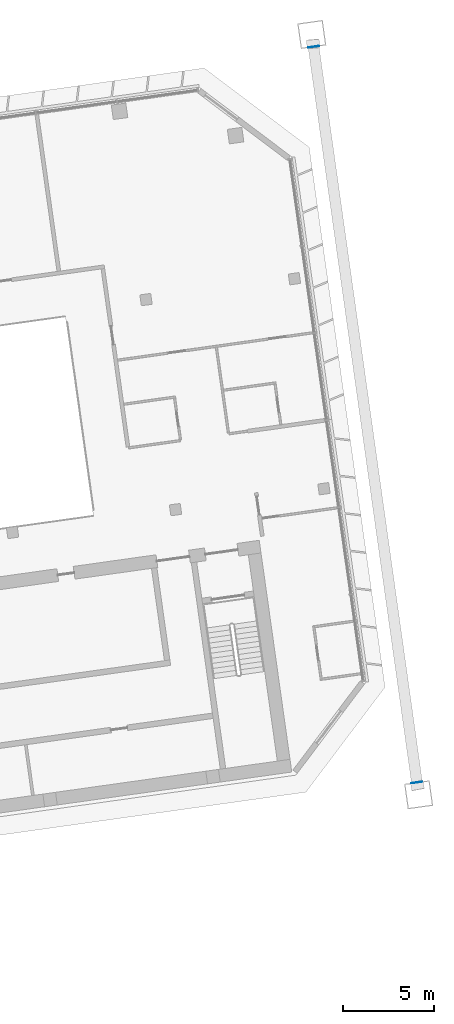
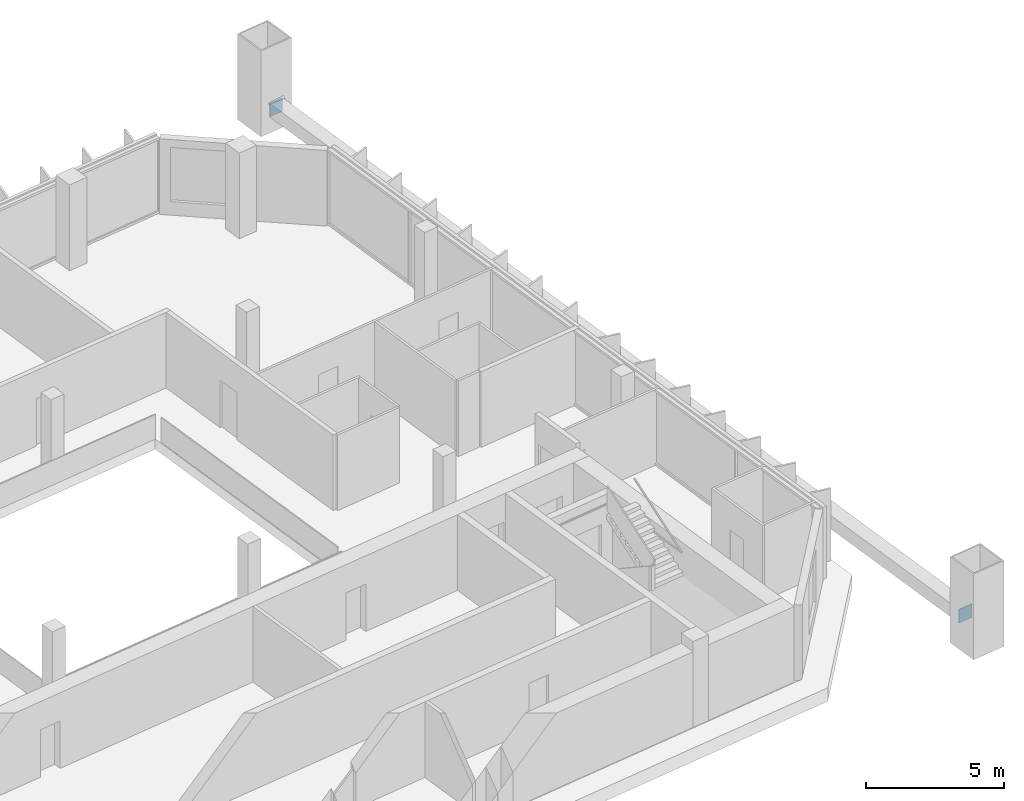
# One storey, part 29 of 31: 2 discrete accessories.
"""IFC4 building model written with IfcOpenShell, lengths in metres."""

import ifcopenshell
import ifcopenshell.guid

model = None  # the IFC model being written
_history = None  # IfcOwnerHistory: only IFC2X3 demands one
_inside = {}  # id of a spatial element -> (the spatial element, [elements in it])
_under = {}  # id of a project, library or spatial element -> (it, [spatial elements below it])
_declared = {}  # id of a project -> (the project, [libraries it declares])
_typed = {}  # id of a type object -> (the type object, [elements of that type])
_made_of = {}  # id of a material, layer set ... -> (it, [elements and type objects made of it])


def new_model(schema):
    """Start an empty IFC model of exactly this schema.

    Asked for "IFC4X3", IfcOpenShell would pick the latest addendum, in which some entities
    have other attributes; the version numbers below select the first issue.
    IFC2X3 requires an IfcOwnerHistory on every rooted entity: one is made here for all.
    """
    global model, _history
    if schema == "IFC4X3":
        model = ifcopenshell.file(schema_version=(4, 3, 0, 0))
    else:
        model = ifcopenshell.file(schema=schema)
    _inside.clear()
    _under.clear()
    _declared.clear()
    _typed.clear()
    _made_of.clear()
    _history = None
    if model.schema == "IFC2X3":
        org = make("IfcOrganization", Name="unknown")
        user = make(
            "IfcPersonAndOrganization",
            ThePerson=make("IfcPerson", FamilyName="unknown"),
            TheOrganization=org,
        )
        app = make(
            "IfcApplication",
            ApplicationDeveloper=org,
            Version="unknown",
            ApplicationFullName="unknown",
            ApplicationIdentifier="unknown",
        )
        _history = make(
            "IfcOwnerHistory",
            OwningUser=user,
            OwningApplication=app,
            ChangeAction="ADDED",
            CreationDate=0,
        )
    return model


def make(cls, **values):
    """One entity of the class cls with the attributes given. An attribute that is None is left unset."""
    return model.create_entity(
        cls, **{name: value for name, value in values.items() if value is not None}
    )


def rooted(cls, **values):
    """An entity with a GlobalId (a new one), such as an element, a storey or a relation."""
    return make(cls, GlobalId=ifcopenshell.guid.new(), OwnerHistory=_history, **values)


def si_unit(unit_type, name, prefix=None):
    """IfcSIUnit, for example si_unit("LENGTHUNIT", "METRE", prefix="MILLI")."""
    return make("IfcSIUnit", UnitType=unit_type, Prefix=prefix, Name=name)


def assignment(units):
    """IfcUnitAssignment: the units of a project."""
    return None if units is None else make("IfcUnitAssignment", Units=units)


def point(xyz):
    """IfcCartesianPoint."""
    return None if xyz is None else make("IfcCartesianPoint", Coordinates=xyz)


def direction(xyz):
    """IfcDirection."""
    return None if xyz is None else make("IfcDirection", DirectionRatios=xyz)


def frame(location, z_axis=None, x_axis=None):
    """IfcAxis2Placement3D, a coordinate frame: its origin and axes. An axis left out is left unset."""
    return make(
        "IfcAxis2Placement3D",
        Location=point(location),
        Axis=direction(z_axis),
        RefDirection=direction(x_axis),
    )


def frame_2d(location, x_axis=None):
    """IfcAxis2Placement2D, a coordinate frame in the plane: its origin and x axis."""
    return make(
        "IfcAxis2Placement2D", Location=point(location), RefDirection=direction(x_axis)
    )


def origin():
    """The frame at (0, 0, 0) with its axes left unset."""
    return frame((0.0, 0.0, 0.0))


def origin_2d():
    """The frame at (0, 0) in the plane with its x axis left unset."""
    return frame_2d((0.0, 0.0))


def place(relative_to, where):
    """IfcLocalPlacement: puts the frame where relative to a parent placement (None: the world)."""
    return make(
        "IfcLocalPlacement", PlacementRelTo=relative_to, RelativePlacement=where
    )


def context(
    kind, dimensions, precision=None, world=None, true_north=None, identifier=None
):
    """IfcGeometricRepresentationContext, for example the 3D "Model" context."""
    return make(
        "IfcGeometricRepresentationContext",
        ContextIdentifier=identifier,
        ContextType=kind,
        CoordinateSpaceDimension=dimensions,
        Precision=precision,
        WorldCoordinateSystem=world,
        TrueNorth=true_north,
    )


def subcontext(parent, identifier, kind, view, scale=None):
    """IfcGeometricRepresentationSubContext, for example "Body" below "Model"."""
    return make(
        "IfcGeometricRepresentationSubContext",
        ContextIdentifier=identifier,
        ContextType=kind,
        ParentContext=parent,
        TargetScale=scale,
        TargetView=view,
    )


def project(units=None, contexts=None):
    """IfcProject with its units and contexts."""
    return rooted(
        "IfcProject",
        Name="project",
        RepresentationContexts=contexts,
        UnitsInContext=assignment(units),
    )


def spatial(cls, under=None, at=None, **own):
    """A site, building, storey or space (cls), placed at a placement, below another one or the project."""
    s = rooted(cls, ObjectPlacement=at, **own)
    if under is not None:
        _under.setdefault(under.id(), (under, []))[1].append(s)
    return s


def profile(cls, at=None, kind="AREA", **sizes):
    """A parametric profile (cls). Its sizes go by their IFC names, for example OverallWidth=200.0."""
    return make(cls, ProfileType=kind, Position=at, **sizes)


def rectangle(**sizes):
    """IfcRectangleProfileDef."""
    return profile("IfcRectangleProfileDef", **sizes)


def extrude(swept, where, along, depth):
    """IfcExtrudedAreaSolid: the profile swept, set in the frame where, extruded along a direction by depth."""
    return make(
        "IfcExtrudedAreaSolid",
        SweptArea=swept,
        Position=where,
        ExtrudedDirection=direction(along),
        Depth=depth,
    )


def shape(context_of_items, identifier, shape_type, items):
    """IfcShapeRepresentation: the items that make up one representation, for example the "Body"."""
    return make(
        "IfcShapeRepresentation",
        ContextOfItems=context_of_items,
        RepresentationIdentifier=identifier,
        RepresentationType=shape_type,
        Items=items,
    )


def material(Name=None, Category=None):
    """IfcMaterial."""
    return make("IfcMaterial", Name=Name, Category=Category)


def material_profile(
    of_material, cross_section, Name=None, Category=None, Priority=None
):
    """IfcMaterialProfile: a cross section and its material."""
    return make(
        "IfcMaterialProfile",
        Name=Name,
        Material=of_material,
        Profile=cross_section,
        Priority=Priority,
        Category=Category,
    )


def profile_set(profiles, Name=None, composite=None):
    """IfcMaterialProfileSet."""
    return make(
        "IfcMaterialProfileSet",
        Name=Name,
        MaterialProfiles=profiles,
        CompositeProfile=composite,
    )


def made_of(thing, what):
    """Note that an element or type object is made of a material, layer set ...; save() writes the relation."""
    if what is not None:
        _made_of.setdefault(what.id(), (what, []))[1].append(thing)
    return thing


def type_object(cls, material=None, **own):
    """A type object (cls), such as IfcWallType, which elements share."""
    return made_of(rooted(cls, **own), material)


def element(
    cls,
    number,
    at=None,
    inside=None,
    cuts=None,
    type_object=None,
    material=None,
    context=None,
    identifier="Body",
    shape_type=None,
    held_by="IfcProductDefinitionShape",
    body=None,
    shapes=None,
    **own,
):
    """One element of the class cls, such as IfcWall. Its Tag is "e" and its number.

    at: its placement. inside: the storey or other place that contains it. cuts: it is an
    opening in that element (IfcRelVoidsElement). A single representation is given by context,
    identifier, shape_type and body (its items); several are given by shapes. held_by: the class
    of the entity that holds the representations. save() writes the other relations.
    """
    e = rooted(cls, Tag="e%d" % number, ObjectPlacement=at, **own)
    if body is not None:
        shapes = [shape(context, identifier, shape_type, body)]
    if shapes is not None:
        e.Representation = make(held_by, Representations=shapes)
    if inside is not None:
        _inside.setdefault(inside.id(), (inside, []))[1].append(e)
    if cuts is not None:
        rooted(
            "IfcRelVoidsElement", RelatingBuildingElement=cuts, RelatedOpeningElement=e
        )
    if type_object is not None:
        _typed.setdefault(type_object.id(), (type_object, []))[1].append(e)
    return made_of(e, material)


def aggregate(whole, parts):
    """IfcRelAggregates: a whole, such as a stair, and the parts it consists of."""
    return rooted("IfcRelAggregates", RelatingObject=whole, RelatedObjects=parts)


def save(model, path):
    """Write the relations noted so far, then the file.

    IfcRelAggregates (storeys below a building ...), IfcRelContainedInSpatialStructure (elements
    in a storey), IfcRelDefinesByType, IfcRelAssociatesMaterial and IfcRelDeclares: one each for
    every whole, place, type object, material and project.
    """
    for whole, parts in _under.values():
        aggregate(whole, parts)
    for where, things in _inside.values():
        rooted(
            "IfcRelContainedInSpatialStructure",
            RelatedElements=things,
            RelatingStructure=where,
        )
    for kind, things in _typed.values():
        rooted("IfcRelDefinesByType", RelatedObjects=things, RelatingType=kind)
    for what, things in _made_of.values():
        rooted("IfcRelAssociatesMaterial", RelatedObjects=things, RelatingMaterial=what)
    for by, libraries in _declared.values():
        rooted("IfcRelDeclares", RelatingContext=by, RelatedDefinitions=libraries)
    model.write(path)


model = new_model("IFC4")

# Units and contexts
model_context = context("Model", 3, precision=1e-05, world=origin(), true_north=direction((0.0, 1.0)))
body_context = subcontext(model_context, "Body", "Model", "MODEL_VIEW")
ifc_project = project(units=[si_unit("LENGTHUNIT", "METRE"), si_unit("AREAUNIT", "SQUARE_METRE"), si_unit("VOLUMEUNIT", "CUBIC_METRE"), si_unit("PLANEANGLEUNIT", "RADIAN"), si_unit("MASSUNIT", "GRAM", prefix="KILO")], contexts=[model_context])

# Site, building, storey
site_placement = place(None, origin())
site = spatial("IfcSite", under=ifc_project, at=site_placement, CompositionType="ELEMENT")
building_placement = place(site_placement, origin())
building = spatial("IfcBuilding", under=site, at=building_placement, Name="Mirante Cascada Hotel Towers", CompositionType="ELEMENT")
storey_placement = place(building_placement, frame((0.0, 0.0, 157.4)))
storey = spatial("IfcBuildingStorey", under=building, at=storey_placement, Name="L36", CompositionType="ELEMENT", Elevation=157.4)

# Discrete accessories
ifc_material = material(Name="Steel ASTM A572 Gr 50", Category="steel")
ifc_material_profile = material_profile(ifc_material, rectangle(XDim=0.6, YDim=0.6, at=origin_2d()), Name="Connection plate 600x600x25 ASTM A572 Gr 50")
ifc_profile_set = profile_set([ifc_material_profile], Name="Steel ASTM A572 Gr 50")
discrete_accessory_type = type_object("IfcDiscreteAccessoryType", Name="Connection plate 600x600x25 ASTM A572 Gr 50", PredefinedType="BRACKET", material=ifc_profile_set)
for number, where, z_axis, x_axis, name in (
    (1, (97.1972, -13.0884, 1.0), (-0.1397442, 0.9901876, 0.0), (-0.9901876, -0.1397442, 0.0), "Connection plate NCH"),
    (2, (91.5412, 27.1561, 1.0), (-0.1397442, 0.9901876, 0.0), (-0.9901876, -0.1397442, 0.0), "Connection plate NCH"),
):
    element("IfcDiscreteAccessory", number, at=place(storey_placement, frame(where, z_axis=z_axis, x_axis=x_axis)), inside=storey, type_object=discrete_accessory_type, Name=name, PredefinedType="BRACKET", context=body_context, shape_type="SweptSolid", body=[
        extrude(rectangle(XDim=0.6, YDim=0.6, at=origin_2d()), origin(), (0.0, 0.0, 1.0), 0.025),
    ])

save(model, "model.ifc")
